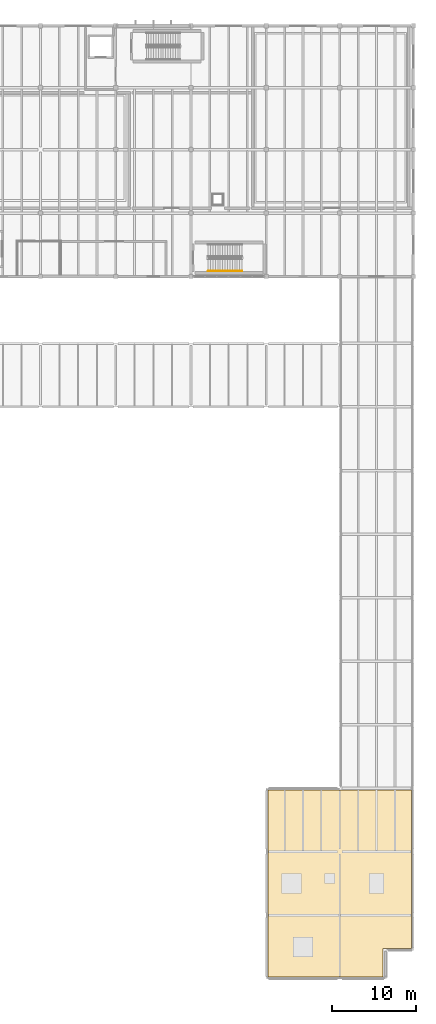
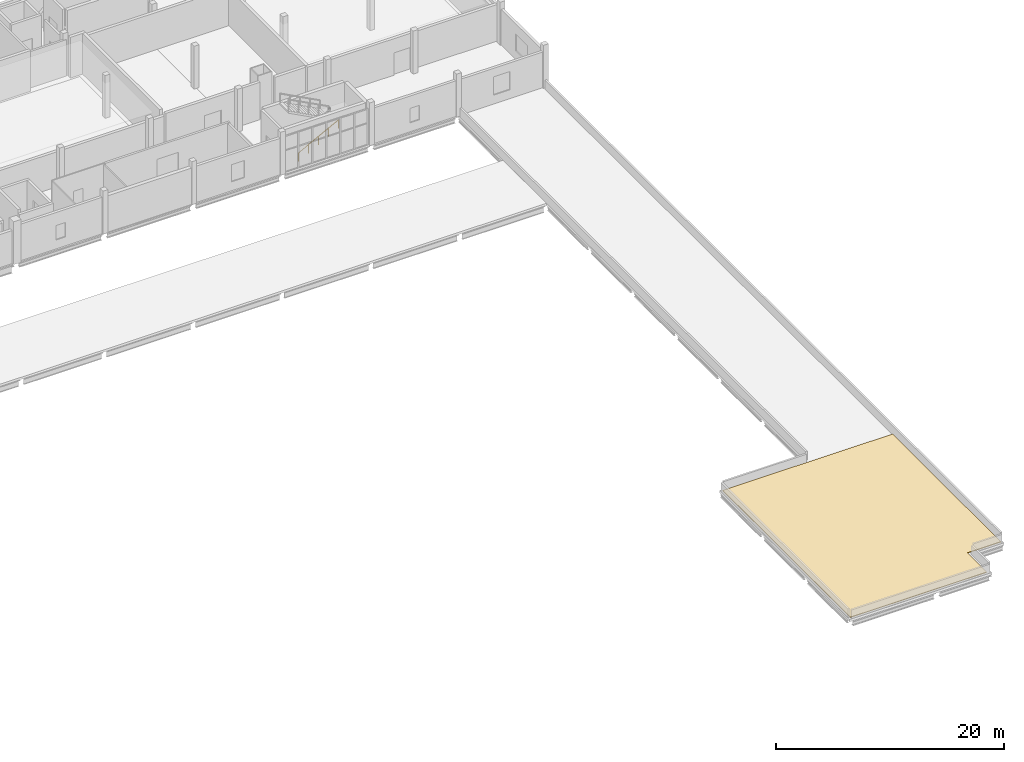
# One storey, part 72 of 74: 1 covering, 1 railing.
"""IFC4 building model written with IfcOpenShell, lengths in metres."""

from ifc_helpers import new_model, si_unit, direction, frame, origin, origin_2d, place, context, subcontext, project, spatial, polyline, circle, outline, extrude, material, layer, layer_set, type_object, element, save


model = new_model("IFC4")

# Units and contexts
model_context = context("Model", 3, precision=1e-05, world=origin(), true_north=direction((0.0, 1.0)))
body_context = subcontext(model_context, "Body", "Model", "MODEL_VIEW")
ifc_project = project(units=[si_unit("LENGTHUNIT", "METRE"), si_unit("AREAUNIT", "SQUARE_METRE"), si_unit("VOLUMEUNIT", "CUBIC_METRE"), si_unit("PLANEANGLEUNIT", "RADIAN"), si_unit("MASSUNIT", "GRAM", prefix="KILO")], contexts=[model_context])

# Site, building, storey
site_placement = place(None, origin())
site = spatial("IfcSite", under=ifc_project, at=site_placement, CompositionType="ELEMENT")
building_placement = place(site_placement, origin())
building = spatial("IfcBuilding", under=site, at=building_placement, Name="Shengluoqiao Park Theatre", CompositionType="ELEMENT")
storey_placement = place(building_placement, frame((0.0, 0.0, 14.60009765625)))
storey = spatial("IfcBuildingStorey", under=building, at=storey_placement, Name="L03", CompositionType="ELEMENT", Elevation=14.60009765625)

# Covering
ifc_material_1 = material(Name="TPO roofing membrane")
ifc_layer = layer(ifc_material_1, 0.06494140625, Name="TPO roofing membrane")
ifc_layer_set = layer_set([ifc_layer], Name="TPO roofing membrane")
covering_type = type_object("IfcCoveringType", Name="ENV-COV-RFMEM", PredefinedType="ROOFING", material=ifc_layer_set)
covering_placement = place(storey_placement, origin())
element("IfcCovering", 1, at=covering_placement, inside=storey, type_object=covering_type, Name="Acoustic Roof Membrane COV-RF-V6SE", PredefinedType="ROOFING", context=body_context, shape_type="SweptSolid", body=[
    extrude(outline(polyline([(148.60009765625, 0.199951171875), (162.39990234375, 0.199951171875), (162.39990234375, 3.60009765625), (165.800048828125, 3.60009765625), (165.800048828125, 22.60009765625), (148.60009765625, 22.60009765625), (148.60009765625, 0.199951171875)])), origin(), (0.0, 0.0, 1.0), 0.06494140625),
])

# Railing
ifc_material_2 = material(Name="Stainless steel 304", Category="steel")
railing_type = type_object("IfcRailingType", Name="INT-RL-STHR", PredefinedType="HANDRAIL", material=ifc_material_2)
railing_placement = place(storey_placement, frame((141.449951171875, 84.64990234375, 0.1533203125)))
element("IfcRailing", 2, at=railing_placement, inside=storey, type_object=railing_type, Name="L03 ST-10 stair handrail 1", PredefinedType="HANDRAIL", context=body_context, shape_type="SweptSolid", body=[
    extrude(circle(Radius=0.02392578125, at=origin_2d()), frame((0.0, 0.0, 0.8759765625), z_axis=(0.884054148832, 0.0, 0.467384490471), x_axis=(0.0, 1.0, 0.0)), (0.0, 0.0, 1.0), 4.592529296875),
    extrude(circle(Radius=0.02099609375, at=origin_2d()), origin(), (0.0, 0.0, 1.0), 0.851806640625),
    extrude(circle(Radius=0.02099609375, at=origin_2d()), frame((1.01513671875, 0.0, 0.53662109375)), (0.0, 0.0, 1.0), 0.851806640625),
    extrude(circle(Radius=0.02099609375, at=origin_2d()), frame((2.030029296875, 0.0, 1.0732421875)), (0.0, 0.0, 1.0), 0.851806640625),
    extrude(circle(Radius=0.02099609375, at=origin_2d()), frame((3.044921875, 0.0, 1.60986328125)), (0.0, 0.0, 1.0), 0.851806640625),
    extrude(circle(Radius=0.02099609375, at=origin_2d()), frame((4.06005859375, 0.0, 2.146484375)), (0.0, 0.0, 1.0), 0.851806640625),
])

save(model, "model.ifc")
